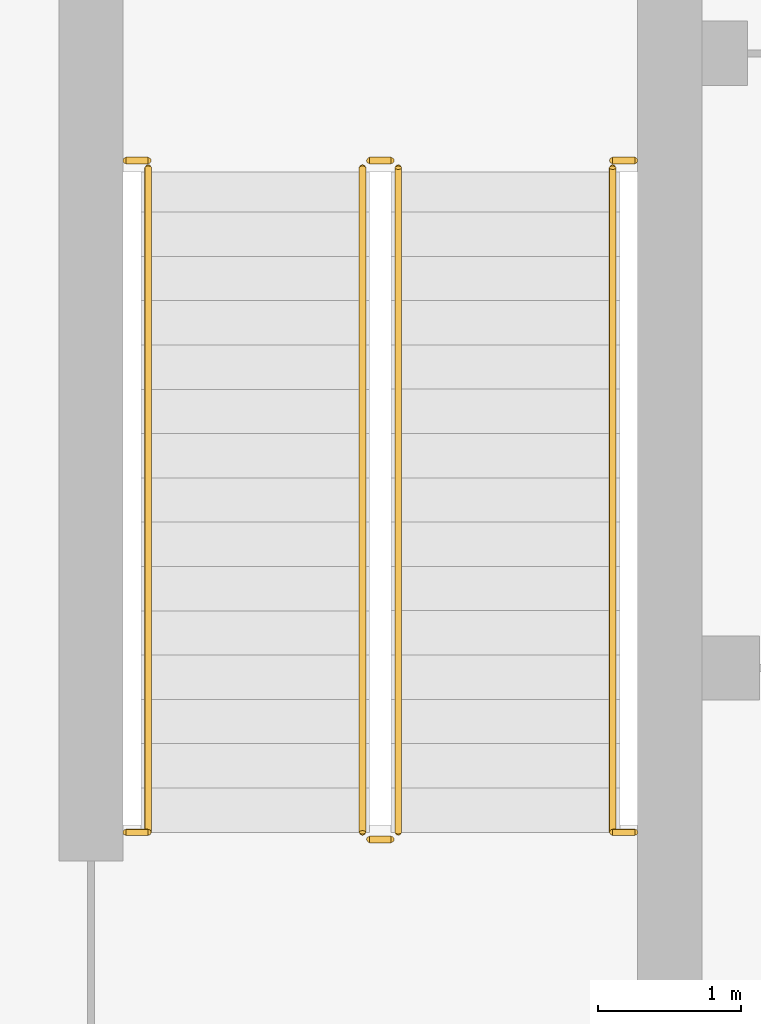
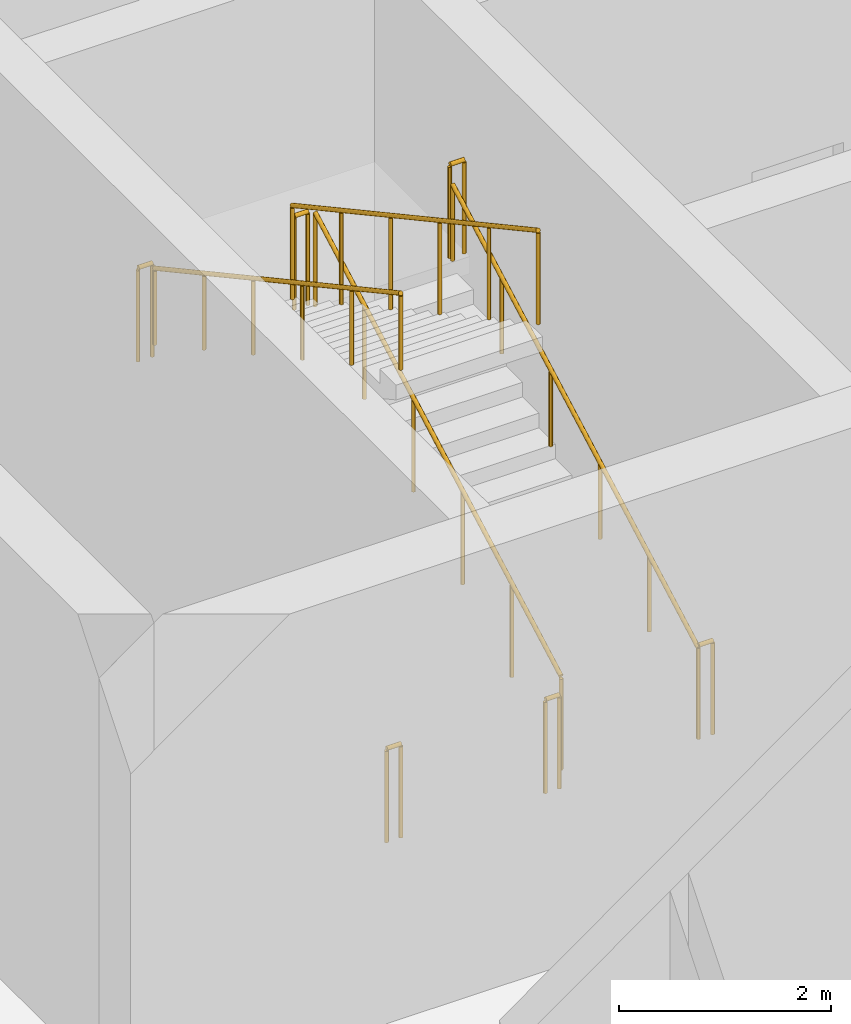
# One storey, part 22 of 26: 10 railings.
"""IFC4 building model written with IfcOpenShell, lengths in metres."""

from ifc_helpers import new_model, si_unit, direction, frame, origin, origin_2d, place, context, subcontext, project, spatial, circle, extrude, material, type_object, element, save


model = new_model("IFC4")

# Units and contexts
model_context = context("Model", 3, precision=1e-05, world=origin(), true_north=direction((0.0, 1.0)))
body_context = subcontext(model_context, "Body", "Model", "MODEL_VIEW")
ifc_project = project(units=[si_unit("LENGTHUNIT", "METRE"), si_unit("AREAUNIT", "SQUARE_METRE"), si_unit("VOLUMEUNIT", "CUBIC_METRE"), si_unit("PLANEANGLEUNIT", "RADIAN"), si_unit("MASSUNIT", "GRAM", prefix="KILO")], contexts=[model_context])

# Site, building, storey
site_placement = place(None, origin())
site = spatial("IfcSite", under=ifc_project, at=site_placement, CompositionType="ELEMENT")
building_placement = place(site_placement, origin())
building = spatial("IfcBuilding", under=site, at=building_placement, Name="Madar Terraces", CompositionType="ELEMENT")
storey_placement = place(building_placement, frame((0.0, 0.0, 233.300048828125)))
storey = spatial("IfcBuildingStorey", under=building, at=storey_placement, Name="L61", CompositionType="ELEMENT", Elevation=233.300048828125)

# Railings
ifc_material_1 = material(Name="Stainless steel railing", Category="steel")
railing_type_1 = type_object("IfcRailingType", Name="Stair guard 1100", PredefinedType="GUARDRAIL", material=ifc_material_1)
railing_1_placement = place(storey_placement, frame((21.199951171875, 17.60009765625, 0.168701171875)))
element("IfcRailing", 1, at=railing_1_placement, inside=storey, type_object=railing_type_1, Name="L61 ST1 stair guard 1", PredefinedType="GUARDRAIL", context=body_context, shape_type="SweptSolid", body=[
    extrude(circle(Radius=0.02392578125, at=origin_2d()), frame((0.0, 0.0, 1.076171875), z_axis=(0.0, 0.878297076953, 0.478115304728), x_axis=(-1.0, 0.0, 0.0)), (0.0, 0.0, 1.0), 5.294189453125),
    extrude(circle(Radius=0.02099609375, at=origin_2d()), origin(), (0.0, 0.0, 1.0), 1.052001953125),
    extrude(circle(Radius=0.02099609375, at=origin_2d()), frame((0.0, 0.929931640625, 0.50634765625)), (0.0, 0.0, 1.0), 1.052001953125),
    extrude(circle(Radius=0.02099609375, at=origin_2d()), frame((0.0, 1.85986328125, 1.012451171875)), (0.0, 0.0, 1.0), 1.052001953125),
    extrude(circle(Radius=0.02099609375, at=origin_2d()), frame((0.0, 2.7900390625, 1.518798828125)), (0.0, 0.0, 1.0), 1.052001953125),
    extrude(circle(Radius=0.02099609375, at=origin_2d()), frame((0.0, 3.719970703125, 2.02490234375)), (0.0, 0.0, 1.0), 1.052001953125),
    extrude(circle(Radius=0.02099609375, at=origin_2d()), frame((0.0, 4.64990234375, 2.53125)), (0.0, 0.0, 1.0), 1.052001953125),
])
railing_2_placement = place(storey_placement, frame((21.14990234375, 22.300048828125, 2.699951171875)))
element("IfcRailing", 2, at=railing_2_placement, inside=storey, type_object=railing_type_1, Name="L61 ST1 stair guard 2", PredefinedType="GUARDRAIL", context=body_context, shape_type="SweptSolid", body=[
    extrude(circle(Radius=0.02392578125, at=origin_2d()), frame((0.0, 0.0, 1.076171875), z_axis=(-1.0, 0.0, 0.0), x_axis=(0.0, -1.0, 0.0)), (0.0, 0.0, 1.0), 0.14990234375),
    extrude(circle(Radius=0.02099609375, at=origin_2d()), origin(), (0.0, 0.0, 1.0), 1.052001953125),
    extrude(circle(Radius=0.02099609375, at=origin_2d()), frame((-0.14990234375, 0.0, 0.0)), (0.0, 0.0, 1.0), 1.052001953125),
])
railing_3_placement = place(storey_placement, frame((20.949951171875, 22.25, 2.86865234375)))
element("IfcRailing", 3, at=railing_3_placement, inside=storey, type_object=railing_type_1, Name="L61 ST1 stair guard 3", PredefinedType="GUARDRAIL", context=body_context, shape_type="SweptSolid", body=[
    extrude(circle(Radius=0.02392578125, at=origin_2d()), frame((0.0, 0.0, 1.076171875), z_axis=(0.0, -0.878297076953, 0.478115304728), x_axis=(1.0, 0.0, 0.0)), (0.0, 0.0, 1.0), 5.294189453125),
    extrude(circle(Radius=0.02099609375, at=origin_2d()), origin(), (0.0, 0.0, 1.0), 1.052001953125),
    extrude(circle(Radius=0.02099609375, at=origin_2d()), frame((0.0, -0.929931640625, 0.50634765625)), (0.0, 0.0, 1.0), 1.052001953125),
    extrude(circle(Radius=0.02099609375, at=origin_2d()), frame((0.0, -1.85986328125, 1.012451171875)), (0.0, 0.0, 1.0), 1.052001953125),
    extrude(circle(Radius=0.02099609375, at=origin_2d()), frame((0.0, -2.7900390625, 1.518798828125)), (0.0, 0.0, 1.0), 1.052001953125),
    extrude(circle(Radius=0.02099609375, at=origin_2d()), frame((0.0, -3.719970703125, 2.02490234375)), (0.0, 0.0, 1.0), 1.052001953125),
    extrude(circle(Radius=0.02099609375, at=origin_2d()), frame((0.0, -4.64990234375, 2.53125)), (0.0, 0.0, 1.0), 1.052001953125),
])
railing_4_placement = place(storey_placement, frame((21.14990234375, 17.550048828125, 0.0)))
element("IfcRailing", 4, at=railing_4_placement, inside=storey, type_object=railing_type_1, Name="L61 ST1 stair guard 4", PredefinedType="GUARDRAIL", context=body_context, shape_type="SweptSolid", body=[
    extrude(circle(Radius=0.02392578125, at=origin_2d()), frame((0.0, 0.0, 1.076171875), z_axis=(-1.0, 0.0, 0.0), x_axis=(0.0, -1.0, 0.0)), (0.0, 0.0, 1.0), 0.14990234375),
    extrude(circle(Radius=0.02099609375, at=origin_2d()), origin(), (0.0, 0.0, 1.0), 1.052001953125),
    extrude(circle(Radius=0.02099609375, at=origin_2d()), frame((-0.14990234375, 0.0, 0.0)), (0.0, 0.0, 1.0), 1.052001953125),
])
for number, where, name in (
    (5, (19.294921875, 22.300048828125, 2.699951171875), "L61 stair guard seat 1"),
    (6, (22.699951171875, 22.300048828125, 2.699951171875), "L61 stair guard seat 2"),
    (7, (19.294921875, 17.60009765625, 0.0), "L61 stair guard floor 1"),
    (8, (22.699951171875, 17.60009765625, 0.0), "L61 stair guard floor 2"),
):
    element("IfcRailing", number, at=place(storey_placement, frame(where)), inside=storey, type_object=railing_type_1, Name=name, PredefinedType="GUARDRAIL", context=body_context, shape_type="SweptSolid", body=[
        extrude(circle(Radius=0.02392578125, at=origin_2d()), frame((0.0, 0.0, 1.076171875), z_axis=(1.0, 0.0, 0.0), x_axis=(0.0, 1.0, 0.0)), (0.0, 0.0, 1.0), 0.155029296875),
        extrude(circle(Radius=0.02099609375, at=origin_2d()), origin(), (0.0, 0.0, 1.0), 1.052001953125),
        extrude(circle(Radius=0.02099609375, at=origin_2d()), frame((0.155029296875, 0.0, 0.0)), (0.0, 0.0, 1.0), 1.052001953125),
    ])
ifc_material_2 = material(Name="Stainless steel railing", Category="steel")
railing_type_2 = type_object("IfcRailingType", Name="Stair handrail 900", PredefinedType="HANDRAIL", material=ifc_material_2)
railing_5_placement = place(storey_placement, frame((22.699951171875, 17.60009765625, 0.168701171875)))
element("IfcRailing", 9, at=railing_5_placement, inside=storey, type_object=railing_type_2, Name="L61 ST1 stair handrail 1", PredefinedType="HANDRAIL", context=body_context, shape_type="SweptSolid", body=[
    extrude(circle(Radius=0.02392578125, at=origin_2d()), frame((0.0, 0.0, 0.8759765625), z_axis=(0.0, 0.878297076953, 0.478115304728), x_axis=(-1.0, 0.0, 0.0)), (0.0, 0.0, 1.0), 5.294189453125),
    extrude(circle(Radius=0.02099609375, at=origin_2d()), origin(), (0.0, 0.0, 1.0), 0.851806640625),
    extrude(circle(Radius=0.02099609375, at=origin_2d()), frame((0.0, 0.929931640625, 0.50634765625)), (0.0, 0.0, 1.0), 0.851806640625),
    extrude(circle(Radius=0.02099609375, at=origin_2d()), frame((0.0, 1.85986328125, 1.012451171875)), (0.0, 0.0, 1.0), 0.851806640625),
    extrude(circle(Radius=0.02099609375, at=origin_2d()), frame((0.0, 2.7900390625, 1.518798828125)), (0.0, 0.0, 1.0), 0.851806640625),
    extrude(circle(Radius=0.02099609375, at=origin_2d()), frame((0.0, 3.719970703125, 2.02490234375)), (0.0, 0.0, 1.0), 0.851806640625),
    extrude(circle(Radius=0.02099609375, at=origin_2d()), frame((0.0, 4.64990234375, 2.53125)), (0.0, 0.0, 1.0), 0.851806640625),
])
railing_6_placement = place(storey_placement, frame((19.449951171875, 22.25, 2.86865234375)))
element("IfcRailing", 10, at=railing_6_placement, inside=storey, type_object=railing_type_2, Name="L61 ST1 stair handrail 2", PredefinedType="HANDRAIL", context=body_context, shape_type="SweptSolid", body=[
    extrude(circle(Radius=0.02392578125, at=origin_2d()), frame((0.0, 0.0, 0.8759765625), z_axis=(0.0, -0.878297076953, 0.478115304728), x_axis=(1.0, 0.0, 0.0)), (0.0, 0.0, 1.0), 5.294189453125),
    extrude(circle(Radius=0.02099609375, at=origin_2d()), origin(), (0.0, 0.0, 1.0), 0.851806640625),
    extrude(circle(Radius=0.02099609375, at=origin_2d()), frame((0.0, -0.929931640625, 0.50634765625)), (0.0, 0.0, 1.0), 0.851806640625),
    extrude(circle(Radius=0.02099609375, at=origin_2d()), frame((0.0, -1.85986328125, 1.012451171875)), (0.0, 0.0, 1.0), 0.851806640625),
    extrude(circle(Radius=0.02099609375, at=origin_2d()), frame((0.0, -2.7900390625, 1.518798828125)), (0.0, 0.0, 1.0), 0.851806640625),
    extrude(circle(Radius=0.02099609375, at=origin_2d()), frame((0.0, -3.719970703125, 2.02490234375)), (0.0, 0.0, 1.0), 0.851806640625),
    extrude(circle(Radius=0.02099609375, at=origin_2d()), frame((0.0, -4.64990234375, 2.53125)), (0.0, 0.0, 1.0), 0.851806640625),
])

save(model, "model.ifc")
